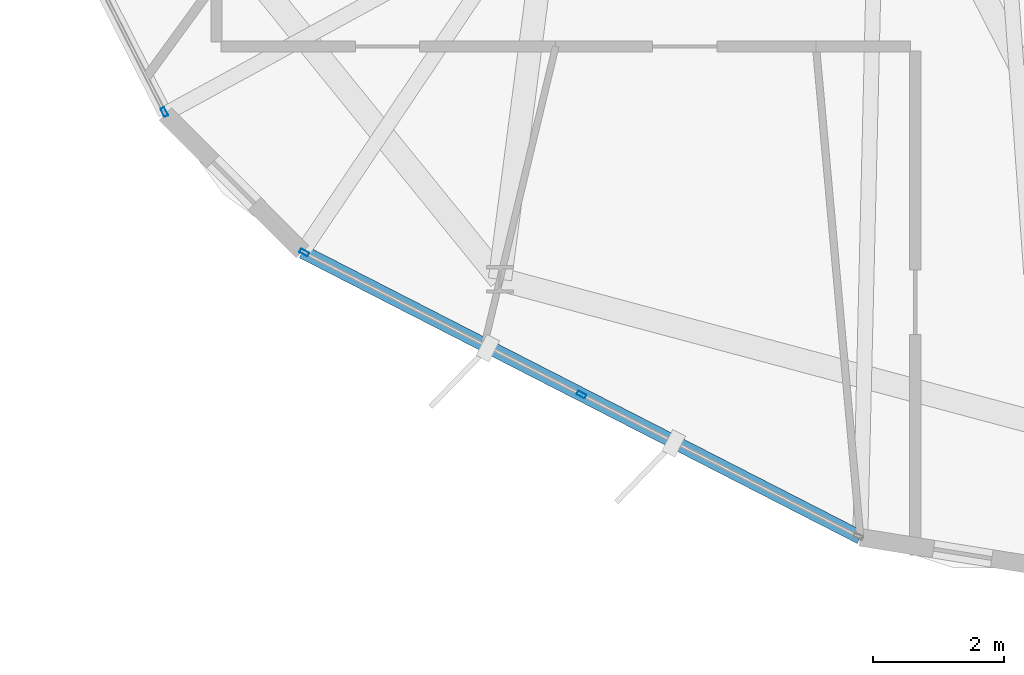
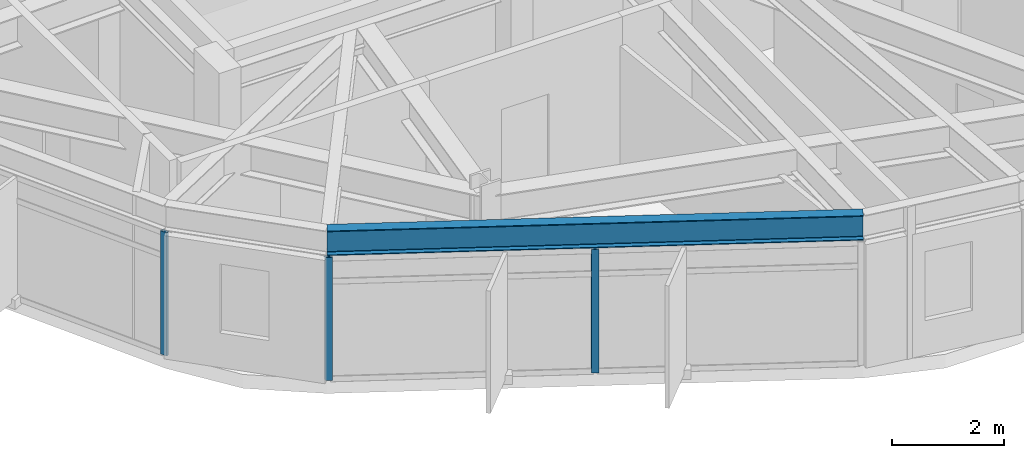
# One storey, part 2 of 27: 3 members, 1 beam, 2 elements without a shape of their own.
"""IFC4 building model written with IfcOpenShell, lengths in metres."""

from ifc_helpers import new_model, si_unit, direction, frame, origin, origin_2d, place, context, subcontext, project, spatial, hollow_rectangle, i_section, extrude, material, layer, layer_set, material_profile, profile_set, type_object, element, aggregate, save


model = new_model("IFC4")

# Units and contexts
model_context = context("Model", 3, precision=1e-05, world=origin(), true_north=direction((0.0, 1.0)))
body_context = subcontext(model_context, "Body", "Model", "MODEL_VIEW")
ifc_project = project(units=[si_unit("LENGTHUNIT", "METRE"), si_unit("AREAUNIT", "SQUARE_METRE"), si_unit("VOLUMEUNIT", "CUBIC_METRE"), si_unit("PLANEANGLEUNIT", "RADIAN"), si_unit("MASSUNIT", "GRAM", prefix="KILO")], contexts=[model_context])

# Site, building, storey
site_placement = place(None, origin())
site = spatial("IfcSite", under=ifc_project, at=site_placement, CompositionType="ELEMENT")
building_placement = place(site_placement, origin())
building = spatial("IfcBuilding", under=site, at=building_placement, Name="Soratama Intermodal Tower", CompositionType="ELEMENT")
storey_placement = place(building_placement, frame((0.0, 0.0, 197.800048828125)))
storey = spatial("IfcBuildingStorey", under=building, at=storey_placement, Name="L49", CompositionType="ELEMENT", Elevation=197.800048828125)

# Beam
ifc_material_1 = material(Name="Structural steel ASTM A992 Grade 50", Category="steel")
ifc_material_profile_1 = material_profile(ifc_material_1, i_section(OverallWidth=0.2099609375, OverallDepth=0.537109375, WebThickness=0.010986328125, FlangeThickness=0.017333984375, FilletRadius=0.012939453125, at=origin_2d()), Name="W21X68")
ifc_profile_set_1 = profile_set([ifc_material_profile_1], Name="Structural steel ASTM A992 Grade 50")
beam_type = type_object("IfcBeamType", Name="BM-SPN-W21X68", PredefinedType="SPANDREL", material=ifc_profile_set_1)
beam_placement = place(storey_placement, frame((31.860107421875, 9.822021484375, 3.031494140625), z_axis=(0.890029706257, -0.455902535614, 0.0), x_axis=(0.455902535614, 0.890029706257, 0.0)))
element("IfcBeam", 1, at=beam_placement, inside=storey, type_object=beam_type, Name="BS-L49-F06", PredefinedType="SPANDREL", context=body_context, shape_type="SweptSolid", body=[
    extrude(i_section(OverallWidth=0.2099609375, OverallDepth=0.537109375, WebThickness=0.010986328125, FlangeThickness=0.017333984375, FilletRadius=0.012939453125, at=origin_2d()), origin(), (0.0, 0.0, 1.0), 9.552490234375),
])

# Curtain wall, member
ifc_material_2 = material(Name="Double-glazed aluminium curtain wall", Category="aluminium")
ifc_layer = layer(ifc_material_2, 0.159912109375)
ifc_layer_set = layer_set([ifc_layer], Name="Double-glazed aluminium curtain wall")
curtain_wall_type = type_object("IfcCurtainWallType", Name="CW-SYS-5", PredefinedType="NOTDEFINED", material=ifc_layer_set)
curtain_wall_1_placement = place(storey_placement, origin())
curtain_wall_1 = element("IfcCurtainWall", 2, at=curtain_wall_1_placement, inside=storey, type_object=curtain_wall_type, Name="L49 Faceted Curtain Wall F05", PredefinedType="NOTDEFINED")
ifc_material_3 = material(Name="Anodised aluminium AA 6063-T6", Category="aluminium")
ifc_material_profile_2 = material_profile(ifc_material_3, hollow_rectangle(XDim=0.06494140625, YDim=0.139892578125, WallThickness=0.0048828125, InnerFilletRadius=0.0048828125, OuterFilletRadius=0.010009765625, at=origin_2d()), Name="CWM140X65X5")
ifc_profile_set_2 = profile_set([ifc_material_profile_2], Name="Anodised aluminium AA 6063-T6")
member_type = type_object("IfcMemberType", Name="MT-CWM-5", PredefinedType="MULLION", material=ifc_profile_set_2)
member_1_placement = place(storey_placement, frame((29.7529296875, 11.950439453125, 0.0), z_axis=(0.0, 0.0, 1.0), x_axis=(0.891957765686, 0.452118728027, 0.0)))
member_1 = element("IfcMember", 3, at=member_1_placement, type_object=member_type, Name="CW-5 mullion 3", PredefinedType="MULLION", context=body_context, shape_type="SweptSolid", body=[
    extrude(hollow_rectangle(XDim=0.06494140625, YDim=0.139892578125, WallThickness=0.0048828125, InnerFilletRadius=0.0048828125, OuterFilletRadius=0.010009765625, at=origin_2d()), origin(), (0.0, 0.0, 1.0), 2.678955078125),
])
aggregate(curtain_wall_1, [member_1])

# Curtain wall, members
curtain_wall_2_placement = place(storey_placement, origin())
curtain_wall_2 = element("IfcCurtainWall", 4, at=curtain_wall_2_placement, inside=storey, type_object=curtain_wall_type, Name="L49 Faceted Curtain Wall F06", PredefinedType="NOTDEFINED")
member_2_placement = place(storey_placement, frame((31.88671875, 9.807861328125, 0.0), z_axis=(0.0, 0.0, 1.0), x_axis=(0.455860497554, 0.890051238283, 0.0)))
member_2 = element("IfcMember", 5, at=member_2_placement, type_object=member_type, Name="CW-5 mullion 1", PredefinedType="MULLION", context=body_context, shape_type="SweptSolid", body=[
    extrude(hollow_rectangle(XDim=0.06494140625, YDim=0.139892578125, WallThickness=0.0048828125, InnerFilletRadius=0.0048828125, OuterFilletRadius=0.010009765625, at=origin_2d()), origin(), (0.0, 0.0, 1.0), 2.678955078125),
])
member_3_placement = place(storey_placement, frame((36.111083984375, 7.644287109375, 0.0), z_axis=(0.0, 0.0, 1.0), x_axis=(0.455860497554, 0.890051238283, 0.0)))
member_3 = element("IfcMember", 6, at=member_3_placement, type_object=member_type, Name="CW-5 mullion 2", PredefinedType="MULLION", context=body_context, shape_type="SweptSolid", body=[
    extrude(hollow_rectangle(XDim=0.06494140625, YDim=0.139892578125, WallThickness=0.0048828125, InnerFilletRadius=0.0048828125, OuterFilletRadius=0.010009765625, at=origin_2d()), origin(), (0.0, 0.0, 1.0), 2.678955078125),
])
aggregate(curtain_wall_2, [member_2, member_3])

save(model, "model.ifc")
